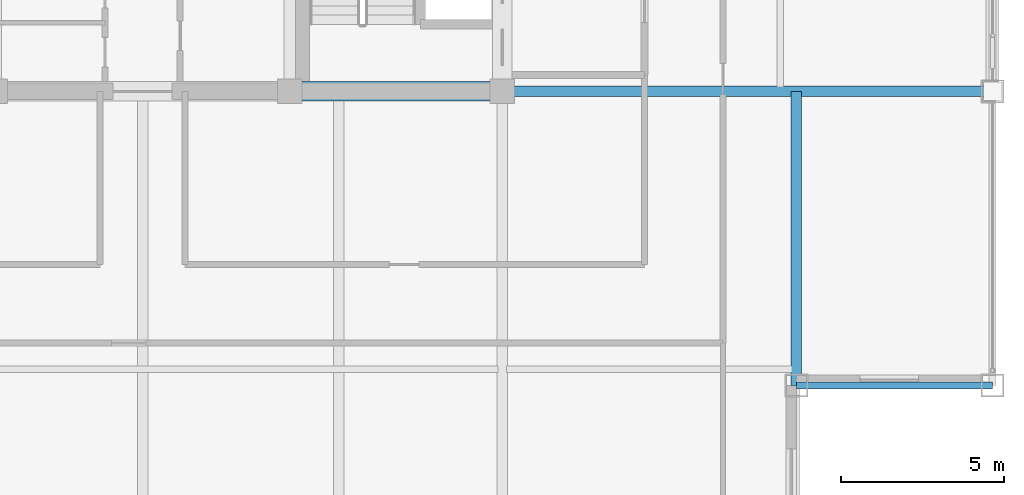
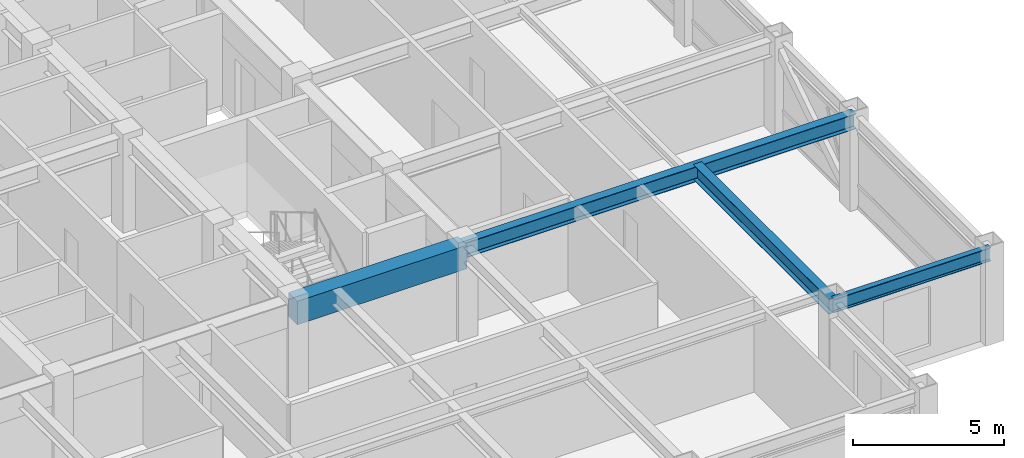
# One storey, part 9 of 29: 4 beams.
"""IFC4 building model written with IfcOpenShell, lengths in metres."""

from ifc_helpers import new_model, si_unit, direction, frame, origin, origin_2d, place, context, subcontext, project, spatial, rectangle, i_section, extrude, source, transform, mapped, material, material_profile, profile_set, type_object, element, save


model = new_model("IFC4")

# Units and contexts
model_context = context("Model", 3, precision=1e-05, world=origin(), true_north=direction((0.0, 1.0)))
body_context = subcontext(model_context, "Body", "Model", "MODEL_VIEW")
ifc_project = project(units=[si_unit("LENGTHUNIT", "METRE"), si_unit("AREAUNIT", "SQUARE_METRE"), si_unit("VOLUMEUNIT", "CUBIC_METRE"), si_unit("PLANEANGLEUNIT", "RADIAN"), si_unit("MASSUNIT", "GRAM", prefix="KILO")], contexts=[model_context])

# Site, building, storey
site_placement = place(None, origin())
site = spatial("IfcSite", under=ifc_project, at=site_placement, CompositionType="ELEMENT")
building_placement = place(site_placement, origin())
building = spatial("IfcBuilding", under=site, at=building_placement, Name="Khorayat Bourse Tower", CompositionType="ELEMENT")
storey_placement = place(building_placement, frame((0.0, 0.0, 366.300048828125)))
storey = spatial("IfcBuildingStorey", under=building, at=storey_placement, Name="L87", CompositionType="ELEMENT", Elevation=366.300048828125)

# Beams
ifc_material_1 = material(Name="Concrete C60/75", Category="concrete")
ifc_material_profile_1 = material_profile(ifc_material_1, rectangle(XDim=0.60009765625, YDim=0.949951171875, at=origin_2d()), Name="RC 600x950")
ifc_profile_set_1 = profile_set([ifc_material_profile_1], Name="Concrete C60/75")
beam_type_1 = type_object("IfcBeamType", Name="BM-COUP-950", PredefinedType="BEAM", material=ifc_profile_set_1)
shared_shape_1 = source(origin(), body_context, "Body", "SweptSolid", [
    extrude(rectangle(XDim=0.60009765625, YDim=0.949951171875, at=origin_2d()), origin(), (0.0, 0.0, 1.0), 6.5),
])
beam_1_placement = place(storey_placement, frame((4.5, -11.0, 3.264892578125), z_axis=(1.0, 0.0, 0.0), x_axis=(0.0, 1.0, 0.0)))
element("IfcBeam", 1, at=beam_1_placement, inside=storey, type_object=beam_type_1, Name="L87 BM-COUP-950 BM-L87-CRY-19", PredefinedType="BEAM", context=body_context, shape_type="MappedRepresentation", body=[
    mapped(shared_shape_1, transform((0.0, 0.0, 0.0), scale=1.0)),
])
ifc_material_2 = material(Name="Steel ASTM A992 Grade 50", Category="steel")
ifc_material_profile_2 = material_profile(ifc_material_2, i_section(OverallWidth=0.214111328125, OverallDepth=0.549072265625, WebThickness=0.0146484375, FlangeThickness=0.023681640625, FilletRadius=0.013916015625, at=origin_2d()), Name="W530X138")
ifc_profile_set_2 = profile_set([ifc_material_profile_2], Name="Steel ASTM A992 Grade 50")
beam_type_2 = type_object("IfcBeamType", Name="BM-SPAN-530", PredefinedType="SPANDREL", material=ifc_profile_set_2)
shared_shape_2 = source(origin(), body_context, "Body", "SweptSolid", [
    extrude(i_section(OverallWidth=0.214111328125, OverallDepth=0.549072265625, WebThickness=0.0146484375, FlangeThickness=0.023681640625, FilletRadius=0.013916015625, at=origin_2d()), origin(), (0.0, 0.0, 1.0), 6.0),
])
beam_2_placement = place(storey_placement, frame((20.0, -20.0, 3.46533203125), z_axis=(1.0, 0.0, 0.0), x_axis=(0.0, 1.0, 0.0)))
element("IfcBeam", 2, at=beam_2_placement, inside=storey, type_object=beam_type_2, Name="L87 BM-SPAN-530 BM-L87-SPN-031", PredefinedType="SPANDREL", context=body_context, shape_type="MappedRepresentation", body=[
    mapped(shared_shape_2, transform((0.0, 0.0, 0.0), scale=1.0)),
])
ifc_material_profile_3 = material_profile(ifc_material_2, i_section(OverallWidth=0.324951171875, OverallDepth=0.615966796875, WebThickness=0.013916015625, FlangeThickness=0.021484375, FilletRadius=0.01611328125, at=origin_2d()), Name="W610X174")
ifc_profile_set_3 = profile_set([ifc_material_profile_3], Name="Steel ASTM A992 Grade 50")
beam_type_3 = type_object("IfcBeamType", Name="BM-GIRD-610", PredefinedType="BEAM", material=ifc_profile_set_3)
shared_shape_3 = source(origin(), body_context, "Body", "SweptSolid", [
    extrude(i_section(OverallWidth=0.324951171875, OverallDepth=0.615966796875, WebThickness=0.013916015625, FlangeThickness=0.021484375, FilletRadius=0.01611328125, at=origin_2d()), origin(), (0.0, 0.0, 1.0), 15.0),
])
beam_3_placement = place(storey_placement, frame((11.0, -11.0, 3.431884765625), z_axis=(1.0, 0.0, 0.0), x_axis=(0.0, 1.0, 0.0)))
element("IfcBeam", 3, at=beam_3_placement, inside=storey, type_object=beam_type_3, Name="L87 BM-GIRD-610 BM-L87-RADX-066", PredefinedType="BEAM", context=body_context, shape_type="MappedRepresentation", body=[
    mapped(shared_shape_3, transform((0.0, 0.0, 0.0), scale=1.0)),
])
shared_shape_4 = source(origin(), body_context, "Body", "SweptSolid", [
    extrude(i_section(OverallWidth=0.324951171875, OverallDepth=0.615966796875, WebThickness=0.013916015625, FlangeThickness=0.021484375, FilletRadius=0.01611328125, at=origin_2d()), origin(), (0.0, 0.0, 1.0), 9.0),
])
beam_4_placement = place(storey_placement, frame((20.0, -20.0, 3.431884765625), z_axis=(0.0, 1.0, 0.0), x_axis=(-1.0, 0.0, 0.0)))
element("IfcBeam", 4, at=beam_4_placement, inside=storey, type_object=beam_type_3, Name="L87 BM-GIRD-610 BM-L87-CNRY-078", PredefinedType="BEAM", context=body_context, shape_type="MappedRepresentation", body=[
    mapped(shared_shape_4, transform((0.0, 0.0, 0.0), scale=1.0)),
])

save(model, "model.ifc")
